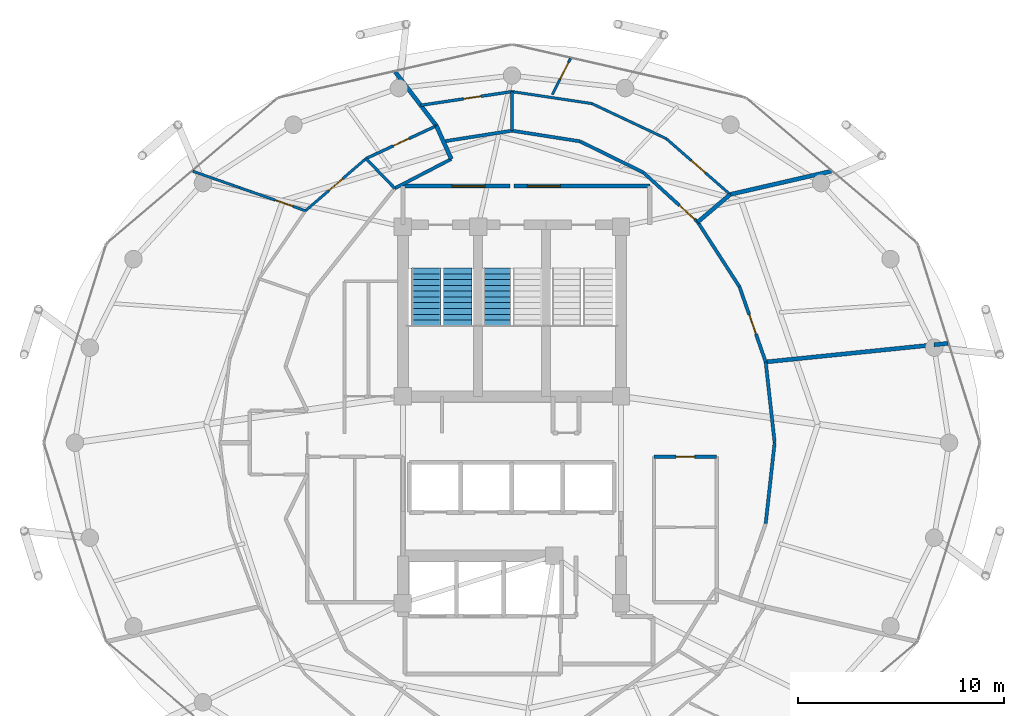
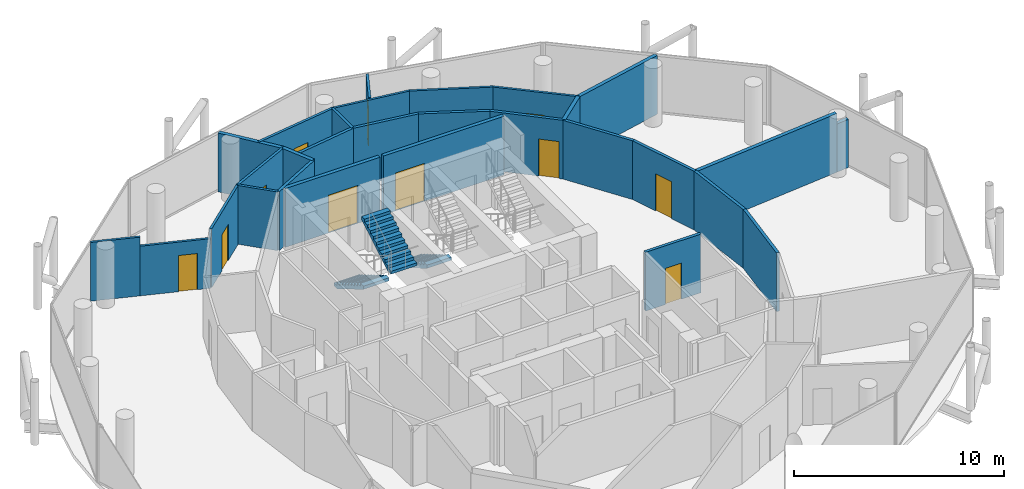
# One storey, part 25 of 27: 29 walls, 11 doors, 3 stair flights, 11 openings, 2 elements without a shape of their own.
"""IFC4 building model written with IfcOpenShell, lengths in metres."""

from ifc_helpers import new_model, si_unit, direction, frame, frame_2d, origin, place, context, subcontext, project, spatial, polyline, rectangle, outline, extrude, material, layer, layer_set, type_object, element, fill, aggregate, save


model = new_model("IFC4")

# Units and contexts
model_context = context("Model", 3, precision=1e-05, world=origin(), true_north=direction((0.0, 1.0)))
body_context = subcontext(model_context, "Body", "Model", "MODEL_VIEW")
ifc_project = project(units=[si_unit("LENGTHUNIT", "METRE"), si_unit("AREAUNIT", "SQUARE_METRE"), si_unit("VOLUMEUNIT", "CUBIC_METRE"), si_unit("PLANEANGLEUNIT", "RADIAN"), si_unit("MASSUNIT", "GRAM", prefix="KILO")], contexts=[model_context])

# Site, building, storey
site_placement = place(None, origin())
site = spatial("IfcSite", under=ifc_project, at=site_placement, CompositionType="ELEMENT")
building_placement = place(site_placement, origin())
building = spatial("IfcBuilding", under=site, at=building_placement, Name="Nuhasar Tower", CompositionType="ELEMENT")
storey_placement = place(building_placement, frame((0.0, 0.0, 211.800048828125)))
storey = spatial("IfcBuildingStorey", under=building, at=storey_placement, Name="L51", CompositionType="ELEMENT", Elevation=211.800048828125)

# Wall, opening, door
ifc_material_1 = material(Name="Gypsum Board", Category="gypsum")
ifc_layer_1 = layer(ifc_material_1, 0.159912109375)
ifc_layer_set_1 = layer_set([ifc_layer_1], Name="Gypsum Board")
wall_type_1 = type_object("IfcWallType", Name="WL-CORR-160", PredefinedType="PARTITIONING", material=ifc_layer_set_1)
wall_1_placement = place(storey_placement, frame((48.949951171875, 26.1201171875, 0.0), z_axis=(0.0, 0.0, 1.0), x_axis=(-1.0, 0.0, 0.0)))
wall_1 = element("IfcWall", 1, at=wall_1_placement, inside=storey, type_object=wall_type_1, Name="L51 Interior Partition RECL-B2-N", PredefinedType="PARTITIONING", context=body_context, shape_type="SweptSolid", body=[
    extrude(rectangle(XDim=3.050048828125, YDim=0.159912109375, at=frame_2d((1.52490234375, 0.0))), origin(), (0.0, 0.0, 1.0), 3.409912109375),
])
opening_1_placement = place(wall_1_placement, frame((1.074951171875, 0.0, 0.0)))
opening_1 = element("IfcOpeningElement", 2, at=opening_1_placement, cuts=wall_1, Name="Opening DR-01", PredefinedType="OPENING", context=body_context, shape_type="SweptSolid", body=[
    extrude(rectangle(XDim=0.89990234375, YDim=2.10009765625, at=frame_2d((0.449951171875, 1.050048828125))), frame((0.0, 0.08984375, 0.0), z_axis=(0.0, -1.0, 0.0), x_axis=(1.0, 0.0, 0.0)), (0.0, 0.0, 1.0), 0.179931640625),
])
ifc_material_2 = material(Name="Timber Oak", Category="wood")
door_type_1 = type_object("IfcDoorType", Name="DR-ROOM-900", OperationType="NOTDEFINED", PredefinedType="DOOR", material=ifc_material_2)
door_1_placement = place(opening_1_placement, origin())
door_1 = element("IfcDoor", 3, at=door_1_placement, inside=storey, type_object=door_type_1, Name="L51 Utility Room Door", OperationType="SINGLE_SWING_LEFT", OverallHeight=2.10009765625, OverallWidth=0.89990234375, PredefinedType="DOOR", context=body_context, shape_type="SweptSolid", body=[
    extrude(rectangle(XDim=0.89990234375, YDim=2.10009765625, at=frame_2d((0.449951171875, 1.050048828125))), frame((0.0, 0.02490234375, 0.0), z_axis=(0.0, -1.0, 0.0), x_axis=(1.0, 0.0, 0.0)), (0.0, 0.0, 1.0), 0.050048828125),
])
fill(opening_1, door_1)

# Walls
for number, where, z_axis, x_axis, name in (
    (4, (51.3349609375, 22.8740234375, 0.0), (0.0, 0.0, 1.0), (0.110139823093, 0.993916102782, 0.0), "L51 Interior Partition CORR-46"),
    (5, (51.77001953125, 26.800048828125, 0.0), (0.0, 0.0, 1.0), (-0.110139823093, 0.993916102782, 0.0), "L51 Interior Partition CORR-00"),
):
    element("IfcWall", number, at=place(storey_placement, frame(where, z_axis=z_axis, x_axis=x_axis)), inside=storey, type_object=wall_type_1, Name=name, PredefinedType="PARTITIONING", context=body_context, shape_type="SweptSolid", body=[
        extrude(rectangle(XDim=3.949951171875, YDim=0.159912109375, at=frame_2d((1.97509765625, 0.0))), origin(), (0.0, 0.0, 1.0), 3.409912109375),
    ])

# Wall, opening, door
wall_2_placement = place(storey_placement, frame((50.05908203125, 34.385009765625, 0.0), z_axis=(0.0, 0.0, 1.0), x_axis=(0.32925850992, -0.944239817867, 0.0)))
wall_2 = element("IfcWall", 6, at=wall_2_placement, inside=storey, type_object=wall_type_1, Name="L51 Interior Partition CORR-02", PredefinedType="PARTITIONING", context=body_context, shape_type="SweptSolid", body=[
    extrude(rectangle(XDim=3.875, YDim=0.159912109375, at=frame_2d((1.9375, 0.0))), origin(), (0.0, 0.0, 1.0), 3.409912109375),
])
opening_2_placement = place(wall_2_placement, frame((1.43798828125, 0.0, 0.0)))
opening_2 = element("IfcOpeningElement", 7, at=opening_2_placement, cuts=wall_2, Name="Opening DU-02", PredefinedType="OPENING", context=body_context, shape_type="SweptSolid", body=[
    extrude(rectangle(XDim=1.0, YDim=2.14990234375, at=frame_2d((0.5, 1.074951171875))), frame((0.0, 0.08984375, 0.0), z_axis=(0.0, -1.0, 0.0), x_axis=(1.0, 0.0, 0.0)), (0.0, 0.0, 1.0), 0.179931640625),
])
door_type_2 = type_object("IfcDoorType", Name="DR-FLAT-FD60-1000", OperationType="NOTDEFINED", PredefinedType="DOOR", material=ifc_material_2)
door_2_placement = place(opening_2_placement, origin())
door_2 = element("IfcDoor", 8, at=door_2_placement, inside=storey, type_object=door_type_2, Name="L51 Sky Yoga Wellness Studio Entrance Door", OperationType="SINGLE_SWING_LEFT", OverallHeight=2.14990234375, OverallWidth=1.0, PredefinedType="DOOR", context=body_context, shape_type="SweptSolid", body=[
    extrude(rectangle(XDim=1.0, YDim=2.14990234375, at=frame_2d((0.5, 1.074951171875))), frame((0.0, 0.02490234375, 0.0), z_axis=(0.0, -1.0, 0.0), x_axis=(1.0, 0.0, 0.0)), (0.0, 0.0, 1.0), 0.050048828125),
])
fill(opening_2, door_2)

# Wall
wall_3_placement = place(storey_placement, frame((50.05908203125, 34.385009765625, 0.0), z_axis=(0.0, 0.0, 1.0), x_axis=(-0.542485127432, 0.840065406094, 0.0)))
element("IfcWall", 9, at=wall_3_placement, inside=storey, type_object=wall_type_1, Name="L51 Interior Partition CORR-04", PredefinedType="PARTITIONING", context=body_context, shape_type="SweptSolid", body=[
    extrude(rectangle(XDim=3.740234375, YDim=0.159912109375, at=frame_2d((1.8701171875, 0.0))), origin(), (0.0, 0.0, 1.0), 3.409912109375),
])

# Wall, opening, door
wall_4_placement = place(storey_placement, frame((45.385009765625, 39.93798828125, 0.0), z_axis=(0.0, 0.0, 1.0), x_axis=(0.739059723008, -0.673639908132, 0.0)))
wall_4 = element("IfcWall", 10, at=wall_4_placement, inside=storey, type_object=wall_type_1, Name="L51 Interior Partition CORR-06", PredefinedType="PARTITIONING", context=body_context, shape_type="SweptSolid", body=[
    extrude(rectangle(XDim=3.578857421875, YDim=0.159912109375, at=frame_2d((1.78955078125, 0.0))), origin(), (0.0, 0.0, 1.0), 3.409912109375),
])
opening_3_placement = place(wall_4_placement, frame((2.37890625, 0.0, 0.0)))
opening_3 = element("IfcOpeningElement", 11, at=opening_3_placement, cuts=wall_4, Name="Opening DU-02", PredefinedType="OPENING", context=body_context, shape_type="SweptSolid", body=[
    extrude(rectangle(XDim=1.0, YDim=2.14990234375, at=frame_2d((0.5, 1.074951171875))), frame((0.0, 0.08984375, 0.0), z_axis=(0.0, -1.0, 0.0), x_axis=(1.0, 0.0, 0.0)), (0.0, 0.0, 1.0), 0.179931640625),
])
door_3_placement = place(opening_3_placement, origin())
door_3 = element("IfcDoor", 12, at=door_3_placement, inside=storey, type_object=door_type_2, Name="L51 Two-Bed Apartment 01 Entrance Door", OperationType="SINGLE_SWING_RIGHT", OverallHeight=2.14990234375, OverallWidth=1.0, PredefinedType="DOOR", context=body_context, shape_type="SweptSolid", body=[
    extrude(rectangle(XDim=1.0, YDim=2.14990234375, at=frame_2d((0.5, 1.074951171875))), frame((0.0, 0.02490234375, 0.0), z_axis=(0.0, -1.0, 0.0), x_axis=(1.0, 0.0, 0.0)), (0.0, 0.0, 1.0), 0.050048828125),
])
fill(opening_3, door_3)

# Walls
wall_5_placement = place(storey_placement, frame((45.385009765625, 39.93798828125, 0.0), z_axis=(0.0, 0.0, 1.0), x_axis=(-0.897338421719, 0.441343128311, 0.0)))
element("IfcWall", 13, at=wall_5_placement, inside=storey, type_object=wall_type_1, Name="L51 Interior Partition CORR-08", PredefinedType="PARTITIONING", context=body_context, shape_type="SweptSolid", body=[
    extrude(rectangle(XDim=3.432373046875, YDim=0.159912109375, at=frame_2d((1.71630859375, 0.0))), origin(), (0.0, 0.0, 1.0), 3.409912109375),
])
wall_6_placement = place(storey_placement, frame((42.304931640625, 41.452880859375, 0.0), z_axis=(0.0, 0.0, 1.0), x_axis=(-0.987980356559, 0.154579478111, 0.0)))
element("IfcWall", 14, at=wall_6_placement, inside=storey, type_object=wall_type_1, Name="L51 Interior Partition CORR-10", PredefinedType="PARTITIONING", context=body_context, shape_type="SweptSolid", body=[
    extrude(rectangle(XDim=3.34521484375, YDim=0.159912109375, at=frame_2d((1.672607421875, 0.0))), origin(), (0.0, 0.0, 1.0), 3.409912109375),
])
wall_7_placement = place(storey_placement, frame((39.0, 41.969970703125, 0.0), z_axis=(0.0, 0.0, 1.0), x_axis=(-0.987972011059, -0.154632808173, 0.0)))
element("IfcWall", 15, at=wall_7_placement, inside=storey, type_object=wall_type_1, Name="L51 Interior Partition CORR-12", PredefinedType="PARTITIONING", context=body_context, shape_type="SweptSolid", body=[
    extrude(rectangle(XDim=3.37548828125, YDim=0.159912109375, at=frame_2d((1.687744140625, 0.0))), origin(), (0.0, 0.0, 1.0), 3.409912109375),
])
wall_8_placement = place(storey_placement, frame((36.049072265625, 40.593017578125, 0.0), z_axis=(0.0, 0.0, 1.0), x_axis=(-0.887674575788, -0.460471331898, 0.0)))
element("IfcWall", 16, at=wall_8_placement, inside=storey, type_object=wall_type_1, Name="L51 Interior Partition UWEST-CORE-N1-14", PredefinedType="PARTITIONING", context=body_context, shape_type="SweptSolid", body=[
    extrude(rectangle(XDim=3.096923828125, YDim=0.159912109375, at=frame_2d((1.54833984375, 0.0))), origin(), (0.0, 0.0, 1.0), 3.409912109375),
])

# Wall, opening, door
ifc_material_3 = material(Name="Concrete C45/55", Category="concrete")
ifc_layer_2 = layer(ifc_material_3, 0.199951171875)
ifc_layer_set_2 = layer_set([ifc_layer_2], Name="Concrete C45/55")
wall_type_2 = type_object("IfcWallType", Name="WL-LOBBY-200", PredefinedType="SOLIDWALL", material=ifc_layer_set_2)
wall_9_placement = place(storey_placement, frame((38.89990234375, 39.280029296875, 0.0), z_axis=(0.0, 0.0, 1.0), x_axis=(-1.0, 0.0, 0.0)))
wall_9 = element("IfcWall", 17, at=wall_9_placement, inside=storey, type_object=wall_type_2, Name="L51 Interior Partition NSL-N1", PredefinedType="SOLIDWALL", context=body_context, shape_type="SweptSolid", body=[
    extrude(rectangle(XDim=5.199951171875, YDim=0.199951171875, at=frame_2d((2.60009765625, 0.0))), origin(), (0.0, 0.0, 1.0), 3.409912109375),
])
opening_4_placement = place(wall_9_placement, frame((1.216064453125, 0.0, 0.0)))
opening_4 = element("IfcOpeningElement", 18, at=opening_4_placement, cuts=wall_9, Name="Opening DC-01", PredefinedType="OPENING", context=body_context, shape_type="SweptSolid", body=[
    extrude(rectangle(XDim=1.60009765625, YDim=2.199951171875, at=frame_2d((0.800048828125, 1.10009765625))), frame((0.0, 0.10986328125, 0.0), z_axis=(0.0, -1.0, 0.0), x_axis=(1.0, 0.0, 0.0)), (0.0, 0.0, 1.0), 0.219970703125),
])
ifc_material_4 = material(Name="Steel S355", Category="steel")
door_type_3 = type_object("IfcDoorType", Name="DR-CORR-FD60-1600", OperationType="DOUBLE_DOOR_SINGLE_SWING", PredefinedType="DOOR", material=ifc_material_4)
door_4_placement = place(opening_4_placement, origin())
door_4 = element("IfcDoor", 19, at=door_4_placement, inside=storey, type_object=door_type_3, Name="L51 North Stair Lobby West Door", OperationType="DOUBLE_DOOR_SINGLE_SWING", OverallHeight=2.199951171875, OverallWidth=1.60009765625, PredefinedType="DOOR", context=body_context, shape_type="SweptSolid", body=[
    extrude(rectangle(XDim=1.60009765625, YDim=2.199951171875, at=frame_2d((0.800048828125, 1.10009765625))), frame((0.0, 0.02490234375, 0.0), z_axis=(0.0, -1.0, 0.0), x_axis=(1.0, 0.0, 0.0)), (0.0, 0.0, 1.0), 0.050048828125),
])
fill(opening_4, door_4)

wall_10_placement = place(storey_placement, frame((45.699951171875, 39.280029296875, 0.0), z_axis=(0.0, 0.0, 1.0), x_axis=(-1.0, 0.0, 0.0)))
wall_10 = element("IfcWall", 20, at=wall_10_placement, inside=storey, type_object=wall_type_2, Name="L51 Interior Partition NSL-N2", PredefinedType="SOLIDWALL", context=body_context, shape_type="SweptSolid", body=[
    extrude(rectangle(XDim=6.599853515625, YDim=0.199951171875, at=frame_2d((3.2998046875, 0.0))), origin(), (0.0, 0.0, 1.0), 3.409912109375),
])
opening_5_placement = place(wall_10_placement, frame((4.35009765625, 0.0, 0.0)))
opening_5 = element("IfcOpeningElement", 21, at=opening_5_placement, cuts=wall_10, Name="Opening DC-01", PredefinedType="OPENING", context=body_context, shape_type="SweptSolid", body=[
    extrude(rectangle(XDim=1.60009765625, YDim=2.199951171875, at=frame_2d((0.800048828125, 1.10009765625))), frame((0.0, 0.10986328125, 0.0), z_axis=(0.0, -1.0, 0.0), x_axis=(1.0, 0.0, 0.0)), (0.0, 0.0, 1.0), 0.219970703125),
])
door_5_placement = place(opening_5_placement, origin())
door_5 = element("IfcDoor", 22, at=door_5_placement, inside=storey, type_object=door_type_3, Name="L51 North Stair Lobby East Door", OperationType="DOUBLE_DOOR_SINGLE_SWING", OverallHeight=2.199951171875, OverallWidth=1.60009765625, PredefinedType="DOOR", context=body_context, shape_type="SweptSolid", body=[
    extrude(rectangle(XDim=1.60009765625, YDim=2.199951171875, at=frame_2d((0.800048828125, 1.10009765625))), frame((0.0, 0.02490234375, 0.0), z_axis=(0.0, -1.0, 0.0), x_axis=(1.0, 0.0, 0.0)), (0.0, 0.0, 1.0), 0.050048828125),
])
fill(opening_5, door_5)

ifc_layer_3 = layer(ifc_material_1, 0.125)
ifc_layer_set_3 = layer_set([ifc_layer_3], Name="Gypsum Board")
wall_type_3 = type_object("IfcWallType", Name="WL-PART-125", PredefinedType="PARTITIONING", material=ifc_layer_set_3)
wall_11_placement = place(storey_placement, frame((46.5, 41.5830078125, 0.0), z_axis=(0.0, 0.0, 1.0), x_axis=(0.753258291351, -0.657724825828, 0.0)))
wall_11 = element("IfcWall", 23, at=wall_11_placement, inside=storey, type_object=wall_type_3, Name="L51 Interior Partition UMID-03-A-06", PredefinedType="PARTITIONING", context=body_context, shape_type="SweptSolid", body=[
    extrude(rectangle(XDim=4.124755859375, YDim=0.125, at=frame_2d((2.0625, 0.0))), origin(), (0.0, 0.0, 1.0), 3.409912109375),
])
opening_6_placement = place(wall_11_placement, frame((1.612060546875, 0.0, 0.0)))
opening_6 = element("IfcOpeningElement", 24, at=opening_6_placement, cuts=wall_11, Name="Opening DR-01", PredefinedType="OPENING", context=body_context, shape_type="SweptSolid", body=[
    extrude(rectangle(XDim=0.89990234375, YDim=2.10009765625, at=frame_2d((0.449951171875, 1.050048828125))), frame((0.0, 0.072509765625, 0.0), z_axis=(0.0, -1.0, 0.0), x_axis=(1.0, 0.0, 0.0)), (0.0, 0.0, 1.0), 0.14501953125),
])
door_6_placement = place(opening_6_placement, origin())
door_6 = element("IfcDoor", 25, at=door_6_placement, inside=storey, type_object=door_type_1, Name="L51 U03 Living Door", OperationType="SINGLE_SWING_LEFT", OverallHeight=2.10009765625, OverallWidth=0.89990234375, PredefinedType="DOOR", context=body_context, shape_type="SweptSolid", body=[
    extrude(rectangle(XDim=0.89990234375, YDim=2.10009765625, at=frame_2d((0.449951171875, 1.050048828125))), frame((0.0, 0.02490234375, 0.0), z_axis=(0.0, -1.0, 0.0), x_axis=(1.0, 0.0, 0.0)), (0.0, 0.0, 1.0), 0.050048828125),
])
fill(opening_6, door_6)

# Walls
wall_12_placement = place(storey_placement, frame((46.5, 41.5830078125, 0.0), z_axis=(0.0, 0.0, 1.0), x_axis=(-0.904575079673, 0.426314350256, 0.0)))
element("IfcWall", 26, at=wall_12_placement, inside=storey, type_object=wall_type_3, Name="L51 Interior Partition UMID-03-A-08", PredefinedType="PARTITIONING", context=body_context, shape_type="SweptSolid", body=[
    extrude(rectangle(XDim=3.99951171875, YDim=0.125, at=frame_2d((1.999755859375, 0.0))), origin(), (0.0, 0.0, 1.0), 3.409912109375),
])
wall_13_placement = place(storey_placement, frame((42.882080078125, 43.2880859375, 0.0), z_axis=(0.0, 0.0, 1.0), x_axis=(-0.988946842781, 0.148270503314, 0.0)))
element("IfcWall", 27, at=wall_13_placement, inside=storey, type_object=wall_type_3, Name="L51 Interior Partition UMID-03-A-10", PredefinedType="PARTITIONING", context=body_context, shape_type="SweptSolid", body=[
    extrude(rectangle(XDim=3.925537109375, YDim=0.125, at=frame_2d((1.962890625, 0.0))), origin(), (0.0, 0.0, 1.0), 3.409912109375),
])

# Wall, opening, door
wall_14_placement = place(storey_placement, frame((40.9580078125, 43.72412109375, 0.0), z_axis=(0.0, 0.0, 1.0), x_axis=(0.449698449796, 0.893180443276, 0.0)))
wall_14 = element("IfcWall", 28, at=wall_14_placement, inside=storey, type_object=wall_type_3, Name="L51 Interior Partition UOUT-03-B1", PredefinedType="PARTITIONING", context=body_context, shape_type="SweptSolid", body=[
    extrude(rectangle(XDim=1.963623046875, YDim=0.125, at=frame_2d((0.98193359375, 0.0))), origin(), (0.0, 0.0, 1.0), 3.409912109375),
])
opening_7_placement = place(wall_14_placement, frame((0.85009765625, 0.0, 0.0)))
opening_7 = element("IfcOpeningElement", 29, at=opening_7_placement, cuts=wall_14, Name="Opening DR-01", PredefinedType="OPENING", context=body_context, shape_type="SweptSolid", body=[
    extrude(rectangle(XDim=0.89990234375, YDim=2.10009765625, at=frame_2d((0.449951171875, 1.050048828125))), frame((0.0, 0.072509765625, 0.0), z_axis=(0.0, -1.0, 0.0), x_axis=(1.0, 0.0, 0.0)), (0.0, 0.0, 1.0), 0.14501953125),
])
door_7_placement = place(opening_7_placement, origin())
door_7 = element("IfcDoor", 30, at=door_7_placement, inside=storey, type_object=door_type_1, Name="L51 U03 Bedroom Door", OperationType="SINGLE_SWING_RIGHT", OverallHeight=2.10009765625, OverallWidth=0.89990234375, PredefinedType="DOOR", context=body_context, shape_type="SweptSolid", body=[
    extrude(rectangle(XDim=0.89990234375, YDim=2.10009765625, at=frame_2d((0.449951171875, 1.050048828125))), frame((0.0, 0.02490234375, 0.0), z_axis=(0.0, -1.0, 0.0), x_axis=(1.0, 0.0, 0.0)), (0.0, 0.0, 1.0), 0.050048828125),
])
fill(opening_7, door_7)

wall_15_placement = place(storey_placement, frame((28.958984375, 38.077880859375, 0.0), z_axis=(0.0, 0.0, 1.0), x_axis=(0.757424973134, 0.652922208286, 0.0)))
wall_15 = element("IfcWall", 31, at=wall_15_placement, inside=storey, type_object=wall_type_3, Name="L51 Interior Partition USM-1-K-16", PredefinedType="PARTITIONING", context=body_context, shape_type="SweptSolid", body=[
    extrude(rectangle(XDim=3.8828125, YDim=0.125, at=frame_2d((1.94140625, 0.0))), origin(), (0.0, 0.0, 1.0), 3.409912109375),
])
opening_8_placement = place(wall_15_placement, frame((1.490966796875, 0.0, 0.0)))
opening_8 = element("IfcOpeningElement", 32, at=opening_8_placement, cuts=wall_15, Name="Opening DR-01", PredefinedType="OPENING", context=body_context, shape_type="SweptSolid", body=[
    extrude(rectangle(XDim=0.89990234375, YDim=2.10009765625, at=frame_2d((0.449951171875, 1.050048828125))), frame((0.0, 0.072509765625, 0.0), z_axis=(0.0, -1.0, 0.0), x_axis=(1.0, 0.0, 0.0)), (0.0, 0.0, 1.0), 0.14501953125),
])
door_8_placement = place(opening_8_placement, origin())
door_8 = element("IfcDoor", 33, at=door_8_placement, inside=storey, type_object=door_type_1, Name="L51 North-West Sky Home Kitchen Door", OperationType="SINGLE_SWING_LEFT", OverallHeight=2.10009765625, OverallWidth=0.89990234375, PredefinedType="DOOR", context=body_context, shape_type="SweptSolid", body=[
    extrude(rectangle(XDim=0.89990234375, YDim=2.10009765625, at=frame_2d((0.449951171875, 1.050048828125))), frame((0.0, 0.02490234375, 0.0), z_axis=(0.0, -1.0, 0.0), x_axis=(1.0, 0.0, 0.0)), (0.0, 0.0, 1.0), 0.050048828125),
])
fill(opening_8, door_8)

wall_16_placement = place(storey_placement, frame((28.958984375, 38.077880859375, 0.0), z_axis=(0.0, 0.0, 1.0), x_axis=(-0.943735775688, 0.33070044706, 0.0)))
wall_16 = element("IfcWall", 34, at=wall_16_placement, inside=storey, type_object=wall_type_3, Name="L51 Interior Partition USO-1-BD", PredefinedType="PARTITIONING", context=body_context, shape_type="SweptSolid", body=[
    extrude(rectangle(XDim=3.41748046875, YDim=0.125, at=frame_2d((1.708740234375, 0.0))), origin(), (0.0, 0.0, 1.0), 2.8798828125),
])
opening_9_placement = place(wall_16_placement, frame((0.64990234375, 0.0, 0.0)))
opening_9 = element("IfcOpeningElement", 35, at=opening_9_placement, cuts=wall_16, Name="Opening DR-01", PredefinedType="OPENING", context=body_context, shape_type="SweptSolid", body=[
    extrude(rectangle(XDim=0.89990234375, YDim=2.10009765625, at=frame_2d((0.449951171875, 1.050048828125))), frame((0.0, 0.072509765625, 0.0), z_axis=(0.0, -1.0, 0.0), x_axis=(1.0, 0.0, 0.0)), (0.0, 0.0, 1.0), 0.14501953125),
])
door_9_placement = place(opening_9_placement, origin())
door_9 = element("IfcDoor", 36, at=door_9_placement, inside=storey, type_object=door_type_1, Name="L51 North-West Sky Home Master Bedroom Door", OperationType="SINGLE_SWING_LEFT", OverallHeight=2.10009765625, OverallWidth=0.89990234375, PredefinedType="DOOR", context=body_context, shape_type="SweptSolid", body=[
    extrude(rectangle(XDim=0.89990234375, YDim=2.10009765625, at=frame_2d((0.449951171875, 1.050048828125))), frame((0.0, 0.02490234375, 0.0), z_axis=(0.0, -1.0, 0.0), x_axis=(1.0, 0.0, 0.0)), (0.0, 0.0, 1.0), 0.050048828125),
])
fill(opening_9, door_9)

# Walls
wall_17_placement = place(storey_placement, frame((25.73388671875, 39.2080078125, 0.0), z_axis=(0.0, 0.0, 1.0), x_axis=(-0.943622379066, 0.331023874857, 0.0)))
element("IfcWall", 37, at=wall_17_placement, inside=storey, type_object=wall_type_3, Name="L51 Interior Partition USO-1-BD", PredefinedType="PARTITIONING", context=body_context, shape_type="SweptSolid", body=[
    extrude(rectangle(XDim=2.3896484375, YDim=0.125, at=frame_2d((1.19482421875, 0.0))), origin(), (0.0, 0.0, 1.0), 3.409912109375),
])
ifc_material_5 = material(Name="Concrete C40/50 precast", Category="concrete")
ifc_layer_4 = layer(ifc_material_5, 0.199951171875)
ifc_layer_set_4 = layer_set([ifc_layer_4], Name="Concrete C40/50 precast")
wall_type_4 = type_object("IfcWallType", Name="WL-UNIT-200", PredefinedType="PARTITIONING", material=ifc_layer_set_4)
wall_18_placement = place(storey_placement, frame((36.049072265625, 40.593017578125, 0.0), z_axis=(0.0, 0.0, 1.0), x_axis=(-0.409337233456, 0.912383159263, 0.0)))
element("IfcWall", 38, at=wall_18_placement, inside=storey, type_object=wall_type_4, Name="L51 Interior Partition URAD-14-NW-S1", PredefinedType="PARTITIONING", context=body_context, shape_type="SweptSolid", body=[
    extrude(rectangle(XDim=1.76904296875, YDim=0.199951171875, at=frame_2d((0.884521484375, 0.0))), origin(), (0.0, 0.0, 1.0), 3.409912109375),
])
wall_19_placement = place(storey_placement, frame((35.324951171875, 42.20703125, 0.0), z_axis=(0.0, 0.0, 1.0), x_axis=(-0.607307427022, 0.794466921328, 0.0)))
element("IfcWall", 39, at=wall_19_placement, inside=storey, type_object=wall_type_4, Name="L51 Interior Partition URAD-14-NW-S2", PredefinedType="PARTITIONING", context=body_context, shape_type="SweptSolid", body=[
    extrude(rectangle(XDim=3.302978515625, YDim=0.199951171875, at=frame_2d((1.6513671875, 0.0))), origin(), (0.0, 0.0, 1.0), 3.409912109375),
])
wall_20_placement = place(storey_placement, frame((51.3349609375, 30.72607421875, 0.0), z_axis=(0.0, 0.0, 1.0), x_axis=(0.994837199953, 0.101483720809, 0.0)))
element("IfcWall", 40, at=wall_20_placement, inside=storey, type_object=wall_type_4, Name="L51 Interior Partition URAD-02", PredefinedType="PARTITIONING", context=body_context, shape_type="SweptSolid", body=[
    extrude(rectangle(XDim=8.2275390625, YDim=0.199951171875, at=frame_2d((4.11376953125, 0.0))), origin(), (0.0, 0.0, 1.0), 3.409912109375),
])
wall_21_placement = place(storey_placement, frame((59.52001953125, 31.56103515625, 0.0), z_axis=(0.0, 0.0, 1.0), x_axis=(0.994776809631, 0.102073987974, 0.0)))
element("IfcWall", 41, at=wall_21_placement, inside=storey, type_object=wall_type_4, Name="L51 Interior Partition URAD-02", PredefinedType="PARTITIONING", context=body_context, shape_type="SweptSolid", body=[
    extrude(rectangle(XDim=0.6865234375, YDim=0.199951171875, at=frame_2d((0.34326171875, 0.0))), origin(), (0.0, 0.0, 1.0), 2.794921875),
])
wall_22_placement = place(storey_placement, frame((48.030029296875, 37.527099609375, 0.0), z_axis=(0.0, 0.0, 1.0), x_axis=(0.761307875953, 0.64839055978, 0.0)))
element("IfcWall", 42, at=wall_22_placement, inside=storey, type_object=wall_type_4, Name="L51 Interior Partition URAD-06-S1", PredefinedType="PARTITIONING", context=body_context, shape_type="SweptSolid", body=[
    extrude(rectangle(XDim=2.0712890625, YDim=0.199951171875, at=frame_2d((1.03564453125, 0.0))), origin(), (0.0, 0.0, 1.0), 3.409912109375),
])
wall_23_placement = place(storey_placement, frame((49.60693359375, 38.8701171875, 0.0), z_axis=(0.0, 0.0, 1.0), x_axis=(0.974622401259, 0.223855254492, 0.0)))
element("IfcWall", 43, at=wall_23_placement, inside=storey, type_object=wall_type_4, Name="L51 Interior Partition URAD-06-S2", PredefinedType="PARTITIONING", context=body_context, shape_type="SweptSolid", body=[
    extrude(rectangle(XDim=5.04296875, YDim=0.199951171875, at=frame_2d((2.521484375, 0.0))), origin(), (0.0, 0.0, 1.0), 3.409912109375),
])

# Wall, opening, door
ifc_layer_5 = layer(ifc_material_5, 0.139892578125)
ifc_layer_set_5 = layer_set([ifc_layer_5], Name="Concrete C40/50 precast")
wall_type_5 = type_object("IfcWallType", Name="WL-WET-140", PredefinedType="PARTITIONING", material=ifc_layer_set_5)
wall_24_placement = place(storey_placement, frame((34.56201171875, 43.205078125, 0.0), z_axis=(0.0, 0.0, 1.0), x_axis=(0.98895789125, 0.148196792593, 0.0)))
wall_24 = element("IfcWall", 44, at=wall_24_placement, inside=storey, type_object=wall_type_5, Name="L51 Interior Partition UMID-03-B-12", PredefinedType="PARTITIONING", context=body_context, shape_type="SweptSolid", body=[
    extrude(rectangle(XDim=4.487548828125, YDim=0.139892578125, at=frame_2d((2.24365234375, 0.0))), origin(), (0.0, 0.0, 1.0), 3.409912109375),
])
opening_10_placement = place(wall_24_placement, frame((2.10009765625, 0.0, 0.0)))
opening_10 = element("IfcOpeningElement", 45, at=opening_10_placement, cuts=wall_24, Name="Opening DB-01", PredefinedType="OPENING", context=body_context, shape_type="SweptSolid", body=[
    extrude(rectangle(XDim=0.85009765625, YDim=2.10009765625, at=frame_2d((0.425048828125, 1.050048828125))), frame((0.0, 0.080078125, 0.0), z_axis=(0.0, -1.0, 0.0), x_axis=(1.0, 0.0, 0.0)), (0.0, 0.0, 1.0), 0.159912109375),
])
door_type_4 = type_object("IfcDoorType", Name="DR-BATH-850", OperationType="NOTDEFINED", PredefinedType="DOOR", material=ifc_material_2)
door_10_placement = place(opening_10_placement, origin())
door_10 = element("IfcDoor", 46, at=door_10_placement, inside=storey, type_object=door_type_4, Name="L51 U03 Bathroom Door", OperationType="SINGLE_SWING_RIGHT", OverallHeight=2.10009765625, OverallWidth=0.85009765625, PredefinedType="DOOR", context=body_context, shape_type="SweptSolid", body=[
    extrude(rectangle(XDim=0.85009765625, YDim=2.10009765625, at=frame_2d((0.425048828125, 1.050048828125))), frame((0.0, 0.02490234375, 0.0), z_axis=(0.0, -1.0, 0.0), x_axis=(1.0, 0.0, 0.0)), (0.0, 0.0, 1.0), 0.050048828125),
])
fill(opening_10, door_10)

# Walls
wall_25_placement = place(storey_placement, frame((39.0, 41.969970703125, 0.0), z_axis=(0.0, 0.0, 1.0), x_axis=(0.0, 1.0, 0.0)))
element("IfcWall", 47, at=wall_25_placement, inside=storey, type_object=wall_type_5, Name="L51 Interior Partition UIN-03-K", PredefinedType="PARTITIONING", context=body_context, shape_type="SweptSolid", body=[
    extrude(rectangle(XDim=1.900146484375, YDim=0.139892578125, at=frame_2d((0.9501953125, 0.0))), origin(), (0.0, 0.0, 1.0), 3.409912109375),
])
wall_26_placement = place(storey_placement, frame((33.300048828125, 39.1669921875, 0.0), z_axis=(0.0, 0.0, 1.0), x_axis=(-0.695613346208, 0.718416364358, 0.0)))
element("IfcWall", 48, at=wall_26_placement, inside=storey, type_object=wall_type_5, Name="L51 Interior Partition USI-1-BK", PredefinedType="PARTITIONING", context=body_context, shape_type="SweptSolid", body=[
    extrude(rectangle(XDim=2.012939453125, YDim=0.139892578125, at=frame_2d((1.00634765625, 0.0))), origin(), (0.0, 0.0, 1.0), 3.409912109375),
])

# Wall, opening, door
wall_27_placement = place(storey_placement, frame((31.89990234375, 40.613037109375, 0.0), z_axis=(0.0, 0.0, 1.0), x_axis=(0.906625113427, 0.421937085007, 0.0)))
wall_27 = element("IfcWall", 49, at=wall_27_placement, inside=storey, type_object=wall_type_5, Name="L51 Interior Partition USM-1-B-14", PredefinedType="PARTITIONING", context=body_context, shape_type="SweptSolid", body=[
    extrude(rectangle(XDim=3.77783203125, YDim=0.139892578125, at=frame_2d((1.888916015625, 0.0))), origin(), (0.0, 0.0, 1.0), 3.409912109375),
])
opening_11_placement = place(wall_27_placement, frame((1.464111328125, 0.0, 0.0)))
opening_11 = element("IfcOpeningElement", 50, at=opening_11_placement, cuts=wall_27, Name="Opening DB-01", PredefinedType="OPENING", context=body_context, shape_type="SweptSolid", body=[
    extrude(rectangle(XDim=0.85009765625, YDim=2.10009765625, at=frame_2d((0.425048828125, 1.050048828125))), frame((0.0, 0.080078125, 0.0), z_axis=(0.0, -1.0, 0.0), x_axis=(1.0, 0.0, 0.0)), (0.0, 0.0, 1.0), 0.159912109375),
])
door_11_placement = place(opening_11_placement, origin())
door_11 = element("IfcDoor", 51, at=door_11_placement, inside=storey, type_object=door_type_4, Name="L51 North-West Sky Home En-Suite Door", OperationType="SINGLE_SWING_RIGHT", OverallHeight=2.10009765625, OverallWidth=0.85009765625, PredefinedType="DOOR", context=body_context, shape_type="SweptSolid", body=[
    extrude(rectangle(XDim=0.85009765625, YDim=2.10009765625, at=frame_2d((0.425048828125, 1.050048828125))), frame((0.0, 0.02490234375, 0.0), z_axis=(0.0, -1.0, 0.0), x_axis=(1.0, 0.0, 0.0)), (0.0, 0.0, 1.0), 0.050048828125),
])
fill(opening_11, door_11)

# Stair, stair flights
stair_type_1 = type_object("IfcStairType", Name="STR-ST-01-2F-22R-1659", PredefinedType="HALF_TURN_STAIR", material=ifc_material_3)
stair_1_placement = place(storey_placement, origin())
stair_1 = element("IfcStair", 52, at=stair_1_placement, inside=storey, type_object=stair_type_1, Name="L51 Exit Stair ST-01", PredefinedType="HALF_TURN_STAIR")
stair_flight_type_1 = type_object("IfcStairFlightType", Name="SFL-ST-01-11R-1659", PredefinedType="STRAIGHT", material=ifc_material_3)
stair_flight_1_placement = place(storey_placement, frame((34.830078125, 35.284912109375, 0.0), z_axis=(0.0, 0.0, 1.0), x_axis=(0.0, -1.0, 0.0)))
stair_flight_1 = element("IfcStairFlight", 53, at=stair_flight_1_placement, type_object=stair_flight_type_1, Name="ST-01 flight 1", NumberOfRisers=11, NumberOfTreads=10, PredefinedType="STRAIGHT", RiserHeight=0.165909, TreadLength=0.28, context=body_context, shape_type="SweptSolid", body=[
    extrude(outline(polyline([(0.0, 0.0), (0.0, 0.166015625), (0.280029296875, 0.166015625), (0.280029296875, 0.331787109375), (0.56005859375, 0.331787109375), (0.56005859375, 0.497802734375), (0.840087890625, 0.497802734375), (0.840087890625, 0.66357421875), (1.1201171875, 0.66357421875), (1.1201171875, 0.82958984375), (1.39990234375, 0.82958984375), (1.39990234375, 0.995361328125), (1.679931640625, 0.995361328125), (1.679931640625, 1.161376953125), (1.9599609375, 1.161376953125), (1.9599609375, 1.327392578125), (2.239990234375, 1.327392578125), (2.239990234375, 1.4931640625), (2.52001953125, 1.4931640625), (2.52001953125, 1.6591796875), (2.800048828125, 1.6591796875), (2.800048828125, 1.824951171875), (2.800048828125, 1.47314453125), (0.313720703125, 0.0), (0.0, 0.0)])), frame((0.0, 0.7099609375, 0.0), z_axis=(0.0, -1.0, 0.0), x_axis=(1.0, 0.0, 0.0)), (0.0, 0.0, 1.0), 1.419921875),
])
stair_flight_2_placement = place(storey_placement, frame((36.35009765625, 32.485107421875, 1.824951171875), z_axis=(0.0, 0.0, 1.0), x_axis=(0.0, 1.0, 0.0)))
stair_flight_2 = element("IfcStairFlight", 54, at=stair_flight_2_placement, type_object=stair_flight_type_1, Name="ST-01 flight 2", NumberOfRisers=11, NumberOfTreads=10, PredefinedType="STRAIGHT", RiserHeight=0.165909, TreadLength=0.28, context=body_context, shape_type="SweptSolid", body=[
    extrude(outline(polyline([(0.0, 0.0), (0.0, 0.166015625), (0.280029296875, 0.166015625), (0.280029296875, 0.331787109375), (0.56005859375, 0.331787109375), (0.56005859375, 0.497802734375), (0.840087890625, 0.497802734375), (0.840087890625, 0.66357421875), (1.1201171875, 0.66357421875), (1.1201171875, 0.82958984375), (1.39990234375, 0.82958984375), (1.39990234375, 0.995361328125), (1.679931640625, 0.995361328125), (1.679931640625, 1.161376953125), (1.9599609375, 1.161376953125), (1.9599609375, 1.327392578125), (2.239990234375, 1.327392578125), (2.239990234375, 1.4931640625), (2.52001953125, 1.4931640625), (2.52001953125, 1.6591796875), (2.800048828125, 1.6591796875), (2.800048828125, 1.824951171875), (2.800048828125, 1.47314453125), (0.313720703125, 0.0), (0.0, 0.0)])), frame((0.0, 0.7099609375, 0.0), z_axis=(0.0, -1.0, 0.0), x_axis=(1.0, 0.0, 0.0)), (0.0, 0.0, 1.0), 1.419921875),
])
aggregate(stair_1, [stair_flight_1, stair_flight_2])

# Stair, stair flight
stair_type_2 = type_object("IfcStairType", Name="STR-ST-03-2F-22R-1659", PredefinedType="HALF_TURN_STAIR", material=ifc_material_3)
stair_2_placement = place(storey_placement, origin())
stair_2 = element("IfcStair", 55, at=stair_2_placement, inside=storey, type_object=stair_type_2, Name="L51 Exit Stair ST-03", PredefinedType="HALF_TURN_STAIR")
stair_flight_type_2 = type_object("IfcStairFlightType", Name="SFL-ST-03-11R-1659", PredefinedType="STRAIGHT", material=ifc_material_3)
stair_flight_3_placement = place(storey_placement, frame((38.280029296875, 35.284912109375, 0.0), z_axis=(0.0, 0.0, 1.0), x_axis=(0.0, -1.0, 0.0)))
stair_flight_3 = element("IfcStairFlight", 56, at=stair_flight_3_placement, type_object=stair_flight_type_2, Name="ST-03 flight 1", NumberOfRisers=11, NumberOfTreads=10, PredefinedType="STRAIGHT", RiserHeight=0.165909, TreadLength=0.28, context=body_context, shape_type="SweptSolid", body=[
    extrude(outline(polyline([(0.0, 0.0), (0.0, 0.166015625), (0.280029296875, 0.166015625), (0.280029296875, 0.331787109375), (0.56005859375, 0.331787109375), (0.56005859375, 0.497802734375), (0.840087890625, 0.497802734375), (0.840087890625, 0.66357421875), (1.1201171875, 0.66357421875), (1.1201171875, 0.82958984375), (1.39990234375, 0.82958984375), (1.39990234375, 0.995361328125), (1.679931640625, 0.995361328125), (1.679931640625, 1.161376953125), (1.9599609375, 1.161376953125), (1.9599609375, 1.327392578125), (2.239990234375, 1.327392578125), (2.239990234375, 1.4931640625), (2.52001953125, 1.4931640625), (2.52001953125, 1.6591796875), (2.800048828125, 1.6591796875), (2.800048828125, 1.824951171875), (2.800048828125, 1.47314453125), (0.313720703125, 0.0), (0.0, 0.0)])), frame((0.0, 0.669921875, 0.0), z_axis=(0.0, -1.0, 0.0), x_axis=(1.0, 0.0, 0.0)), (0.0, 0.0, 1.0), 1.340087890625),
])
aggregate(stair_2, [stair_flight_3])

save(model, "model.ifc")
